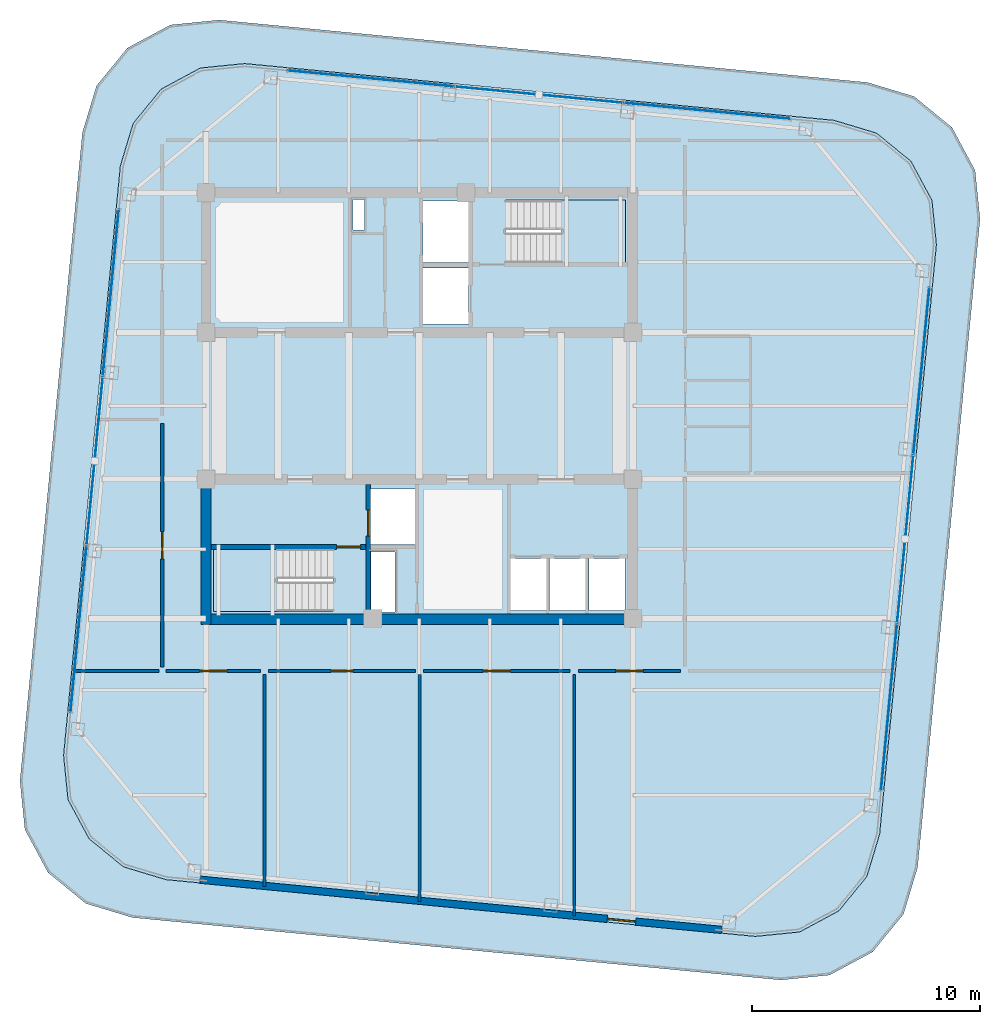
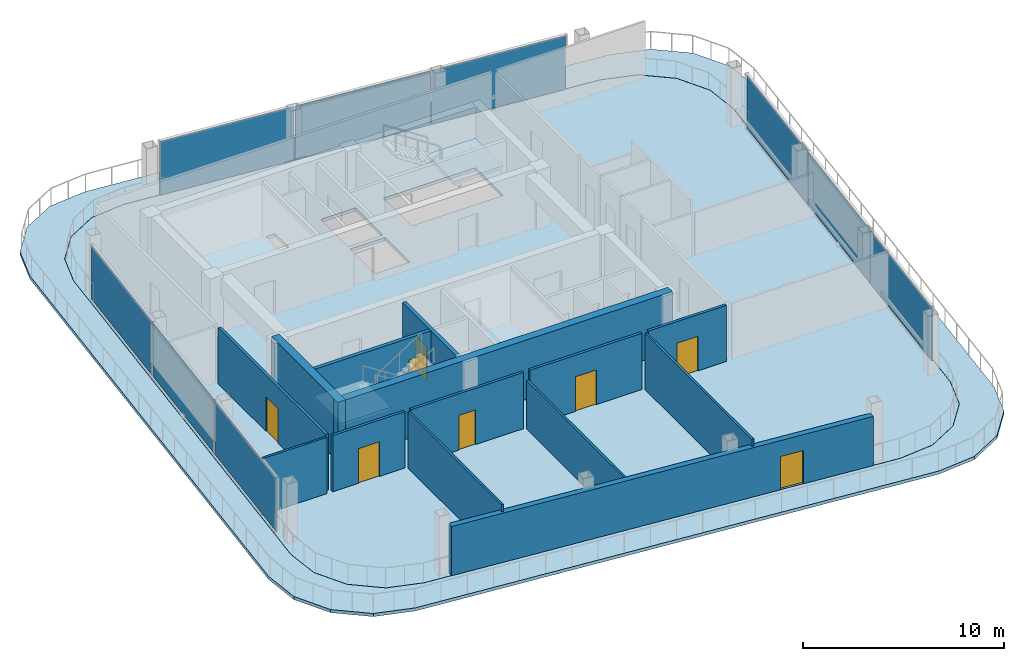
# One storey, part 16 of 23: 14 walls, 9 plates, 8 doors, 4 slabs, 8 openings, 5 elements without a shape of their own.
"""IFC4 building model written with IfcOpenShell, lengths in metres."""

from ifc_helpers import new_model, si_unit, direction, frame, frame_2d, origin, origin_2d, place, context, subcontext, project, spatial, polyline, rectangle, outline, extrude, material, layer, layer_set, type_object, element, fill, aggregate, save


model = new_model("IFC4")

# Units and contexts
model_context = context("Model", 3, precision=1e-05, world=origin(), true_north=direction((0.0, 1.0)))
body_context = subcontext(model_context, "Body", "Model", "MODEL_VIEW")
ifc_project = project(units=[si_unit("LENGTHUNIT", "METRE"), si_unit("AREAUNIT", "SQUARE_METRE"), si_unit("VOLUMEUNIT", "CUBIC_METRE"), si_unit("PLANEANGLEUNIT", "RADIAN"), si_unit("MASSUNIT", "GRAM", prefix="KILO")], contexts=[model_context])

# Site, building, storey
site_placement = place(None, origin())
site = spatial("IfcSite", under=ifc_project, at=site_placement, CompositionType="ELEMENT")
building_placement = place(site_placement, origin())
building = spatial("IfcBuilding", under=site, at=building_placement, Name="Qhalaya Broadcast Tower", CompositionType="ELEMENT")
storey_placement = place(building_placement, frame((0.0, 0.0, 276.949951171875)))
storey = spatial("IfcBuildingStorey", under=building, at=storey_placement, Name="L82", CompositionType="ELEMENT", Elevation=276.949951171875)

# Slab
ifc_material_1 = material(Name="Concrete C40/50", Category="concrete")
ifc_layer_1 = layer(ifc_material_1, 0.25, Name="Concrete C40/50")
ifc_layer_set_1 = layer_set([ifc_layer_1], Name="Concrete C40/50")
slab_type_1 = type_object("IfcSlabType", Name="Planted Sky-Garden & Sky-Pool External Terrace Slab 250", PredefinedType="FLOOR", material=ifc_layer_set_1)
slab_1_placement = place(storey_placement, frame((0.0, 0.0, -0.18994140625)))
element("IfcSlab", 1, at=slab_1_placement, inside=storey, type_object=slab_type_1, Name="L82 Planted Parapet Garden Terrace 1", PredefinedType="FLOOR", context=body_context, shape_type="SweptSolid", body=[
    extrude(outline(polyline([(15.87646484375, -24.619384765625), (18.01171875, -24.404296875), (19.902099609375, -23.388671875), (21.259765625, -21.726806640625), (21.87841796875, -19.671875), (24.619384765625, 8.79638671875), (24.404296875, 10.931640625), (23.388671875, 12.822021484375), (21.726806640625, 14.1796875), (19.671875, 14.79833984375), (-8.79638671875, 17.539306640625), (-10.931640625, 17.324462890625), (-12.822021484375, 16.30859375), (-14.1796875, 14.64697265625), (-14.79833984375, 12.591796875), (-17.539306640625, -15.87646484375), (-17.324462890625, -18.01171875), (-16.30859375, -19.902099609375), (-14.64697265625, -21.259765625), (-12.591796875, -21.87841796875), (15.87646484375, -24.619384765625)]), holes=[polyline([(14.75439453125, -22.70703125), (-11.125732421875, -20.215087890625), (-11.126220703125, -20.215087890625), (-11.126708984375, -20.21484375), (-12.99462890625, -19.652587890625), (-12.9951171875, -19.652587890625), (-12.995361328125, -19.65234375), (-12.99560546875, -19.652099609375), (-12.99609375, -19.652099609375), (-14.5068359375, -18.41748046875), (-14.507080078125, -18.417236328125), (-14.50732421875, -18.4169921875), (-14.507568359375, -18.416748046875), (-14.5078125, -18.41650390625), (-15.43115234375, -16.697998046875), (-15.431396484375, -16.697509765625), (-15.431396484375, -16.697265625), (-15.431640625, -16.69677734375), (-15.431640625, -16.6962890625), (-15.627197265625, -14.75537109375), (-15.627197265625, -14.7548828125), (-15.627197265625, -14.75439453125), (-13.135009765625, 11.125732421875), (-13.135009765625, 11.126220703125), (-13.135009765625, 11.126708984375), (-12.57275390625, 12.99462890625), (-12.572509765625, 12.9951171875), (-12.572509765625, 12.995361328125), (-12.572265625, 12.99560546875), (-12.572021484375, 12.99609375), (-11.337646484375, 14.5068359375), (-11.33740234375, 14.507080078125), (-11.3369140625, 14.50732421875), (-11.336669921875, 14.507568359375), (-11.33642578125, 14.5078125), (-9.617919921875, 15.43115234375), (-9.617431640625, 15.431396484375), (-9.6171875, 15.431396484375), (-9.61669921875, 15.431640625), (-9.616455078125, 15.431640625), (-7.67529296875, 15.627197265625), (-7.6748046875, 15.627197265625), (-7.674560546875, 15.627197265625), (18.205810546875, 13.135009765625), (18.206298828125, 13.135009765625), (18.20654296875, 13.135009765625), (20.07470703125, 12.57275390625), (20.074951171875, 12.572509765625), (20.075439453125, 12.572509765625), (20.07568359375, 12.572265625), (20.075927734375, 12.572021484375), (21.5869140625, 11.337646484375), (21.587158203125, 11.33740234375), (21.58740234375, 11.3369140625), (21.587646484375, 11.336669921875), (21.587890625, 11.33642578125), (22.51123046875, 9.617919921875), (22.511474609375, 9.617431640625), (22.511474609375, 9.6171875), (22.51171875, 9.61669921875), (22.51171875, 9.616455078125), (22.70703125, 7.67529296875), (22.70703125, 7.6748046875), (22.70703125, 7.674560546875), (20.215087890625, -18.205810546875), (20.215087890625, -18.206298828125), (20.21484375, -18.20654296875), (19.652587890625, -20.07470703125), (19.652587890625, -20.074951171875), (19.65234375, -20.075439453125), (19.652099609375, -20.07568359375), (19.652099609375, -20.075927734375), (18.41748046875, -21.5869140625), (18.417236328125, -21.587158203125), (18.4169921875, -21.58740234375), (18.416748046875, -21.587646484375), (18.41650390625, -21.587890625), (16.697998046875, -22.51123046875), (16.697509765625, -22.511474609375), (16.697265625, -22.511474609375), (16.69677734375, -22.51171875), (16.6962890625, -22.51171875), (14.75537109375, -22.70703125), (14.7548828125, -22.70703125), (14.75439453125, -22.70703125)])]), origin(), (0.0, 0.0, 1.0), 0.18994140625),
])

# Curtain wall, plates
ifc_material_2 = material(Name="Solar-Control Low-E Triple Glazing", Category="glass")
ifc_layer_2 = layer(ifc_material_2, 0.219970703125, Name="Solar-Control Low-E Triple Glazing")
ifc_layer_set_2 = layer_set([ifc_layer_2], Name="Solar-Control Low-E Triple Glazing")
curtain_wall_type = type_object("IfcCurtainWallType", Name="Crown Garden & Observation Windscreen Curtain Wall CW-06", PredefinedType="NOTDEFINED", material=ifc_layer_set_2)
curtain_wall_1_placement = place(storey_placement, origin())
curtain_wall_1 = element("IfcCurtainWall", 2, at=curtain_wall_1_placement, inside=storey, type_object=curtain_wall_type, Name="L82 Unitised Curtain Wall L82-CW-E", PredefinedType="NOTDEFINED")
ifc_layer_3 = layer(ifc_material_2, 0.030029296875, Name="Solar-Control Low-E Triple Glazing")
ifc_layer_set_3 = layer_set([ifc_layer_3], Name="Solar-Control Low-E Triple Glazing")
plate_type = type_object("IfcPlateType", Name="Solar-Control Curtain Glazing Panel GLP-06", PredefinedType="CURTAIN_PANEL", material=ifc_layer_set_3)
plate_1_placement = place(storey_placement, frame((20.626953125, -12.63427734375, 0.0751953125), z_axis=(0.0, 0.0, 1.0), x_axis=(0.095847667974, 0.995396013928, 0.0)))
plate_1 = element("IfcPlate", 3, at=plate_1_placement, type_object=plate_type, Name="CW-06 panel 1.1", PredefinedType="CURTAIN_PANEL", context=body_context, shape_type="SweptSolid", body=[
    extrude(rectangle(XDim=7.32080078125, YDim=0.030029296875, at=origin_2d()), origin(), (0.0, 0.0, 1.0), 3.260009765625),
])
plate_2_placement = place(storey_placement, frame((21.337646484375, -5.253662109375, 0.0751953125), z_axis=(0.0, 0.0, 1.0), x_axis=(0.095847667974, 0.995396013928, 0.0)))
plate_2 = element("IfcPlate", 4, at=plate_2_placement, type_object=plate_type, Name="CW-06 panel 2.1", PredefinedType="CURTAIN_PANEL", context=body_context, shape_type="SweptSolid", body=[
    extrude(rectangle(XDim=7.3583984375, YDim=0.030029296875, at=origin_2d()), origin(), (0.0, 0.0, 1.0), 3.260009765625),
])
plate_3_placement = place(storey_placement, frame((22.04833984375, 2.126708984375, 0.0751953125), z_axis=(0.0, 0.0, 1.0), x_axis=(0.095847667974, 0.995396013928, 0.0)))
plate_3 = element("IfcPlate", 5, at=plate_3_placement, type_object=plate_type, Name="CW-06 panel 3.1", PredefinedType="CURTAIN_PANEL", context=body_context, shape_type="SweptSolid", body=[
    extrude(rectangle(XDim=7.32080078125, YDim=0.030029296875, at=origin_2d()), origin(), (0.0, 0.0, 1.0), 3.260009765625),
])
aggregate(curtain_wall_1, [plate_1, plate_2, plate_3])

curtain_wall_2_placement = place(storey_placement, origin())
curtain_wall_2 = element("IfcCurtainWall", 6, at=curtain_wall_2_placement, inside=storey, type_object=curtain_wall_type, Name="L82 Unitised Curtain Wall L82-CW-N", PredefinedType="NOTDEFINED")
plate_4_placement = place(storey_placement, frame((12.63427734375, 13.547119140625, 0.0751953125), z_axis=(0.0, 0.0, 1.0), x_axis=(-0.995396013928, 0.095847667974, 0.0)))
plate_4 = element("IfcPlate", 7, at=plate_4_placement, type_object=plate_type, Name="CW-06 panel 1.1", PredefinedType="CURTAIN_PANEL", context=body_context, shape_type="SweptSolid", body=[
    extrude(rectangle(XDim=7.32080078125, YDim=0.030029296875, at=origin_2d()), origin(), (0.0, 0.0, 1.0), 3.260009765625),
])
plate_5_placement = place(storey_placement, frame((5.253662109375, 14.2578125, 0.0751953125), z_axis=(0.0, 0.0, 1.0), x_axis=(-0.995396013928, 0.095847667974, 0.0)))
plate_5 = element("IfcPlate", 8, at=plate_5_placement, type_object=plate_type, Name="CW-06 panel 2.1", PredefinedType="CURTAIN_PANEL", context=body_context, shape_type="SweptSolid", body=[
    extrude(rectangle(XDim=7.3583984375, YDim=0.030029296875, at=origin_2d()), origin(), (0.0, 0.0, 1.0), 3.260009765625),
])
plate_6_placement = place(storey_placement, frame((-2.126708984375, 14.96826171875, 0.0751953125), z_axis=(0.0, 0.0, 1.0), x_axis=(-0.995396013928, 0.095847667974, 0.0)))
plate_6 = element("IfcPlate", 9, at=plate_6_placement, type_object=plate_type, Name="CW-06 panel 3.1", PredefinedType="CURTAIN_PANEL", context=body_context, shape_type="SweptSolid", body=[
    extrude(rectangle(XDim=7.32080078125, YDim=0.030029296875, at=origin_2d()), origin(), (0.0, 0.0, 1.0), 3.260009765625),
])
aggregate(curtain_wall_2, [plate_4, plate_5, plate_6])

curtain_wall_3_placement = place(storey_placement, origin())
curtain_wall_3 = element("IfcCurtainWall", 10, at=curtain_wall_3_placement, inside=storey, type_object=curtain_wall_type, Name="L82 Unitised Curtain Wall L82-CW-W", PredefinedType="NOTDEFINED")
plate_7_placement = place(storey_placement, frame((-13.547119140625, 5.55419921875, 0.0751953125), z_axis=(0.0, 0.0, 1.0), x_axis=(-0.095847667974, -0.995396013928, 0.0)))
plate_7 = element("IfcPlate", 11, at=plate_7_placement, type_object=plate_type, Name="CW-06 panel 1.1", PredefinedType="CURTAIN_PANEL", context=body_context, shape_type="SweptSolid", body=[
    extrude(rectangle(XDim=7.32080078125, YDim=0.030029296875, at=origin_2d()), origin(), (0.0, 0.0, 1.0), 3.260009765625),
])
plate_8_placement = place(storey_placement, frame((-14.2578125, -1.826171875, 0.0751953125), z_axis=(0.0, 0.0, 1.0), x_axis=(-0.095847667974, -0.995396013928, 0.0)))
plate_8 = element("IfcPlate", 12, at=plate_8_placement, type_object=plate_type, Name="CW-06 panel 2.1", PredefinedType="CURTAIN_PANEL", context=body_context, shape_type="SweptSolid", body=[
    extrude(rectangle(XDim=7.3583984375, YDim=0.030029296875, at=origin_2d()), origin(), (0.0, 0.0, 1.0), 3.260009765625),
])
plate_9_placement = place(storey_placement, frame((-14.96826171875, -9.206787109375, 0.0751953125), z_axis=(0.0, 0.0, 1.0), x_axis=(-0.095847667974, -0.995396013928, 0.0)))
plate_9 = element("IfcPlate", 13, at=plate_9_placement, type_object=plate_type, Name="CW-06 panel 3.1", PredefinedType="CURTAIN_PANEL", context=body_context, shape_type="SweptSolid", body=[
    extrude(rectangle(XDim=7.32080078125, YDim=0.030029296875, at=origin_2d()), origin(), (0.0, 0.0, 1.0), 3.260009765625),
])
aggregate(curtain_wall_3, [plate_7, plate_8, plate_9])

# Stair, slab
stair_type = type_object("IfcStairType", Name="Protected Dogleg Core Stair 3600", PredefinedType="TWO_STRAIGHT_RUN_STAIR", material=ifc_material_1)
stair_1_placement = place(storey_placement, origin())
stair_1 = element("IfcStair", 14, at=stair_1_placement, inside=storey, type_object=stair_type, Name="L82 North Core Exit Stair ST-1", PredefinedType="TWO_STRAIGHT_RUN_STAIR")
ifc_layer_4 = layer(ifc_material_1, 0.199951171875, Name="Concrete C40/50")
ifc_layer_set_4 = layer_set([ifc_layer_4], Name="Concrete C40/50")
slab_type_2 = type_object("IfcSlabType", Name="Stair & Ramp Half-Landing Slab 200", PredefinedType="LANDING", material=ifc_layer_set_4)
slab_2_placement = place(storey_placement, frame((0.0, 0.0, 1.60009765625)))
slab_2 = element("IfcSlab", 15, at=slab_2_placement, type_object=slab_type_2, Name="ST-1 landing 1", PredefinedType="LANDING", context=body_context, shape_type="SweptSolid", body=[
    extrude(outline(polyline([(6.235107421875, 6.8798828125), (9.050048828125, 6.8798828125), (9.050048828125, 9.639892578125), (6.235107421875, 9.639892578125), (6.235107421875, 6.8798828125)])), origin(), (0.0, 0.0, 1.0), 0.199951171875),
])
aggregate(stair_1, [slab_2])

stair_2_placement = place(storey_placement, origin())
stair_2 = element("IfcStair", 16, at=stair_2_placement, inside=storey, type_object=stair_type, Name="L82 South Core Exit Stair ST-2", PredefinedType="TWO_STRAIGHT_RUN_STAIR")
slab_3_placement = place(storey_placement, frame((0.0, 0.0, 1.60009765625)))
slab_3 = element("IfcSlab", 17, at=slab_3_placement, type_object=slab_type_2, Name="ST-2 landing 1", PredefinedType="LANDING", context=body_context, shape_type="SweptSolid", body=[
    extrude(outline(polyline([(-6.235107421875, -5.679931640625), (-9.050048828125, -5.679931640625), (-9.050048828125, -8.43994140625), (-6.235107421875, -8.43994140625), (-6.235107421875, -5.679931640625)])), origin(), (0.0, 0.0, 1.0), 0.199951171875),
])
aggregate(stair_2, [slab_3])

# Slab
ifc_layer_5 = layer(ifc_material_1, 0.18994140625, Name="Concrete C40/50")
ifc_layer_set_5 = layer_set([ifc_layer_5], Name="Concrete C40/50")
slab_type_3 = type_object("IfcSlabType", Name="Upper Tower Composite Floor Slab 190", PredefinedType="FLOOR", material=ifc_layer_set_5)
slab_4_placement = place(storey_placement, frame((0.0, 0.0, -0.18994140625)))
element("IfcSlab", 18, at=slab_4_placement, inside=storey, type_object=slab_type_3, Name="L82 Main Structural Floor Slab", PredefinedType="FLOOR", context=body_context, shape_type="SweptSolid", body=[
    extrude(outline(polyline([(14.7548828125, -22.703125), (16.696044921875, -22.5078125), (18.41455078125, -21.584228515625), (19.64892578125, -20.073486328125), (20.211181640625, -18.205322265625), (22.703125, 7.6748046875), (22.5078125, 9.615966796875), (21.584228515625, 11.33447265625), (20.073486328125, 12.56884765625), (18.205322265625, 13.131103515625), (-7.6748046875, 15.623046875), (-9.615966796875, 15.427734375), (-11.33447265625, 14.50439453125), (-12.56884765625, 12.993408203125), (-13.131103515625, 11.12548828125), (-15.623046875, -14.7548828125), (-15.427734375, -16.696044921875), (-14.50439453125, -18.41455078125), (-12.993408203125, -19.64892578125), (-11.12548828125, -20.211181640625), (14.7548828125, -22.703125)]), holes=[polyline([(3.784912109375, 9.639892578125), (9.050048828125, 9.639892578125), (9.050048828125, 6.8798828125), (3.784912109375, 6.8798828125), (3.784912109375, 9.639892578125)]), polyline([(-3.784912109375, -8.43994140625), (-9.050048828125, -8.43994140625), (-9.050048828125, -5.679931640625), (-3.784912109375, -5.679931640625), (-3.784912109375, -8.43994140625)]), polyline([(0.14990234375, 6.64990234375), (2.14990234375, 6.64990234375), (2.14990234375, 4.199951171875), (0.14990234375, 4.199951171875), (0.14990234375, 6.64990234375)]), polyline([(0.14990234375, 9.60009765625), (2.14990234375, 9.60009765625), (2.14990234375, 6.89990234375), (0.14990234375, 6.89990234375), (0.14990234375, 9.60009765625)]), polyline([(-2.14990234375, -3.050048828125), (-0.14990234375, -3.050048828125), (-0.14990234375, -5.5), (-2.14990234375, -5.5), (-2.14990234375, -3.050048828125)]), polyline([(4.0, -6.10009765625), (5.60009765625, -6.10009765625), (5.60009765625, -8.39990234375), (4.0, -8.39990234375), (4.0, -6.10009765625)]), polyline([(5.719970703125, -6.10009765625), (7.320068359375, -6.10009765625), (7.320068359375, -8.39990234375), (5.719970703125, -8.39990234375), (5.719970703125, -6.10009765625)]), polyline([(7.43994140625, -6.10009765625), (9.0400390625, -6.10009765625), (9.0400390625, -8.39990234375), (7.43994140625, -8.39990234375), (7.43994140625, -6.10009765625)]), polyline([(-2.919921875, 9.659912109375), (-2.419921875, 9.659912109375), (-2.419921875, 8.320068359375), (-2.919921875, 8.320068359375), (-2.919921875, 9.659912109375)]), polyline([(-2.1201171875, -5.820068359375), (-1.080078125, -5.820068359375), (-1.080078125, -8.4599609375), (-2.1201171875, -8.4599609375), (-2.1201171875, -5.820068359375)])]), origin(), (0.0, 0.0, 1.0), 0.18994140625),
])

# Wall, opening, door
ifc_material_3 = material(Name="Gypsum Acoustic Partition")
ifc_layer_6 = layer(ifc_material_3, 0.14990234375, Name="Gypsum Acoustic Partition")
ifc_layer_set_6 = layer_set([ifc_layer_6], Name="Gypsum Acoustic Partition")
wall_type_1 = type_object("IfcWallType", Name="Corridor & Tenancy Acoustic Partition 150", PredefinedType="PARTITIONING", material=ifc_layer_set_6)
wall_1_placement = place(storey_placement, frame((-11.1201171875, -11.050048828125, 0.0), z_axis=(0.0, 0.0, 1.0), x_axis=(1.0, 0.0, 0.0)))
wall_1 = element("IfcWall", 19, at=wall_1_placement, inside=storey, type_object=wall_type_1, Name="L82 Partition Wall W-COR-02", PredefinedType="PARTITIONING", context=body_context, shape_type="SweptSolid", body=[
    extrude(rectangle(XDim=4.14013671875, YDim=0.14990234375, at=frame_2d((2.070068359375, 0.0))), origin(), (0.0, 0.0, 1.0), 3.41015625),
])
opening_1_placement = place(wall_1_placement, frame((1.469970703125, 0.0, 0.0)))
opening_1 = element("IfcOpeningElement", 20, at=opening_1_placement, cuts=wall_1, Name="Opening D11", PredefinedType="OPENING", context=body_context, shape_type="SweptSolid", body=[
    extrude(rectangle(XDim=1.199951171875, YDim=2.10009765625, at=frame_2d((0.60009765625, 1.050048828125))), frame((0.0, 0.0869140625, 0.0), z_axis=(0.0, -1.0, 0.0), x_axis=(1.0, 0.0, 0.0)), (0.0, 0.0, 1.0), 0.173828125),
])
ifc_material_4 = material(Name="Anodised Aluminium Glazed Door", Category="aluminium")
door_type_1 = type_object("IfcDoorType", Name="Conference, Boardroom & Studio Control Door D11", OperationType="NOTDEFINED", PredefinedType="DOOR", material=ifc_material_4)
door_1_placement = place(opening_1_placement, origin())
door_1 = element("IfcDoor", 21, at=door_1_placement, inside=storey, type_object=door_type_1, Name="L82 Door D-RM02", OperationType="SINGLE_SWING_LEFT", OverallHeight=2.10009765625, OverallWidth=1.199951171875, PredefinedType="DOOR", context=body_context, shape_type="SweptSolid", body=[
    extrude(rectangle(XDim=1.199951171875, YDim=2.10009765625, at=frame_2d((0.60009765625, 1.050048828125))), frame((0.0, 0.02490234375, 0.0), z_axis=(0.0, -1.0, 0.0), x_axis=(1.0, 0.0, 0.0)), (0.0, 0.0, 1.0), 0.050048828125),
])
fill(opening_1, door_1)

wall_2_placement = place(storey_placement, frame((-6.6201171875, -11.050048828125, 0.0), z_axis=(0.0, 0.0, 1.0), x_axis=(1.0, 0.0, 0.0)))
wall_2 = element("IfcWall", 22, at=wall_2_placement, inside=storey, type_object=wall_type_1, Name="L82 Partition Wall W-COR-03", PredefinedType="PARTITIONING", context=body_context, shape_type="SweptSolid", body=[
    extrude(rectangle(XDim=6.440185546875, YDim=0.14990234375, at=frame_2d((3.22021484375, 0.0))), origin(), (0.0, 0.0, 1.0), 3.41015625),
])
opening_2_placement = place(wall_2_placement, frame((2.7451171875, 0.0, 0.0)))
opening_2 = element("IfcOpeningElement", 23, at=opening_2_placement, cuts=wall_2, Name="Opening D10", PredefinedType="OPENING", context=body_context, shape_type="SweptSolid", body=[
    extrude(rectangle(XDim=0.949951171875, YDim=2.10009765625, at=frame_2d((0.47509765625, 1.050048828125))), frame((0.0, 0.0869140625, 0.0), z_axis=(0.0, -1.0, 0.0), x_axis=(1.0, 0.0, 0.0)), (0.0, 0.0, 1.0), 0.173828125),
])
ifc_material_5 = material(Name="Timber Veneer Acoustic Door", Category="wood")
door_type_2 = type_object("IfcDoorType", Name="Cellular Office & Edit Booth Door D10", OperationType="NOTDEFINED", PredefinedType="DOOR", material=ifc_material_5)
door_2_placement = place(opening_2_placement, origin())
door_2 = element("IfcDoor", 24, at=door_2_placement, inside=storey, type_object=door_type_2, Name="L82 Door D-RM03", OperationType="SINGLE_SWING_RIGHT", OverallHeight=2.10009765625, OverallWidth=0.949951171875, PredefinedType="DOOR", context=body_context, shape_type="SweptSolid", body=[
    extrude(rectangle(XDim=0.949951171875, YDim=2.10009765625, at=frame_2d((0.47509765625, 1.050048828125))), frame((0.0, 0.02490234375, 0.0), z_axis=(0.0, -1.0, 0.0), x_axis=(1.0, 0.0, 0.0)), (0.0, 0.0, 1.0), 0.050048828125),
])
fill(opening_2, door_2)

wall_3_placement = place(storey_placement, frame((0.179931640625, -11.050048828125, 0.0), z_axis=(0.0, 0.0, 1.0), x_axis=(1.0, 0.0, 0.0)))
wall_3 = element("IfcWall", 25, at=wall_3_placement, inside=storey, type_object=wall_type_1, Name="L82 Partition Wall W-COR-04", PredefinedType="PARTITIONING", context=body_context, shape_type="SweptSolid", body=[
    extrude(rectangle(XDim=6.440185546875, YDim=0.14990234375, at=frame_2d((3.22021484375, 0.0))), origin(), (0.0, 0.0, 1.0), 3.41015625),
])
opening_3_placement = place(wall_3_placement, frame((2.6201171875, 0.0, 0.0)))
opening_3 = element("IfcOpeningElement", 26, at=opening_3_placement, cuts=wall_3, Name="Opening D11", PredefinedType="OPENING", context=body_context, shape_type="SweptSolid", body=[
    extrude(rectangle(XDim=1.199951171875, YDim=2.10009765625, at=frame_2d((0.60009765625, 1.050048828125))), frame((0.0, 0.0869140625, 0.0), z_axis=(0.0, -1.0, 0.0), x_axis=(1.0, 0.0, 0.0)), (0.0, 0.0, 1.0), 0.173828125),
])
door_3_placement = place(opening_3_placement, origin())
door_3 = element("IfcDoor", 27, at=door_3_placement, inside=storey, type_object=door_type_1, Name="L82 Door D-RM04", OperationType="SINGLE_SWING_LEFT", OverallHeight=2.10009765625, OverallWidth=1.199951171875, PredefinedType="DOOR", context=body_context, shape_type="SweptSolid", body=[
    extrude(rectangle(XDim=1.199951171875, YDim=2.10009765625, at=frame_2d((0.60009765625, 1.050048828125))), frame((0.0, 0.02490234375, 0.0), z_axis=(0.0, -1.0, 0.0), x_axis=(1.0, 0.0, 0.0)), (0.0, 0.0, 1.0), 0.050048828125),
])
fill(opening_3, door_3)

wall_4_placement = place(storey_placement, frame((6.97998046875, -11.050048828125, 0.0), z_axis=(0.0, 0.0, 1.0), x_axis=(1.0, 0.0, 0.0)))
wall_4 = element("IfcWall", 28, at=wall_4_placement, inside=storey, type_object=wall_type_1, Name="L82 Partition Wall W-COR-05", PredefinedType="PARTITIONING", context=body_context, shape_type="SweptSolid", body=[
    extrude(rectangle(XDim=4.489990234375, YDim=0.14990234375, at=frame_2d((2.2451171875, 0.0))), origin(), (0.0, 0.0, 1.0), 3.41015625),
])
opening_4_placement = place(wall_4_placement, frame((1.64501953125, 0.0, 0.0)))
opening_4 = element("IfcOpeningElement", 29, at=opening_4_placement, cuts=wall_4, Name="Opening D11", PredefinedType="OPENING", context=body_context, shape_type="SweptSolid", body=[
    extrude(rectangle(XDim=1.199951171875, YDim=2.10009765625, at=frame_2d((0.60009765625, 1.050048828125))), frame((0.0, 0.0869140625, 0.0), z_axis=(0.0, -1.0, 0.0), x_axis=(1.0, 0.0, 0.0)), (0.0, 0.0, 1.0), 0.173828125),
])
door_4_placement = place(opening_4_placement, origin())
door_4 = element("IfcDoor", 30, at=door_4_placement, inside=storey, type_object=door_type_1, Name="L82 Door D-RM05", OperationType="SINGLE_SWING_RIGHT", OverallHeight=2.10009765625, OverallWidth=1.199951171875, PredefinedType="DOOR", context=body_context, shape_type="SweptSolid", body=[
    extrude(rectangle(XDim=1.199951171875, YDim=2.10009765625, at=frame_2d((0.60009765625, 1.050048828125))), frame((0.0, 0.02490234375, 0.0), z_axis=(0.0, -1.0, 0.0), x_axis=(1.0, 0.0, 0.0)), (0.0, 0.0, 1.0), 0.050048828125),
])
fill(opening_4, door_4)

wall_5_placement = place(storey_placement, frame((-11.300048828125, -10.8701171875, 0.0), z_axis=(0.0, 0.0, 1.0), x_axis=(0.0, 1.0, 0.0)))
wall_5 = element("IfcWall", 31, at=wall_5_placement, inside=storey, type_object=wall_type_1, Name="L82 Partition Wall W-COR-06", PredefinedType="PARTITIONING", context=body_context, shape_type="SweptSolid", body=[
    extrude(rectangle(XDim=10.690185546875, YDim=0.14990234375, at=frame_2d((5.34521484375, 0.0))), origin(), (0.0, 0.0, 1.0), 3.41015625),
])
opening_5_placement = place(wall_5_placement, frame((4.7451171875, 0.0, 0.0)))
opening_5 = element("IfcOpeningElement", 32, at=opening_5_placement, cuts=wall_5, Name="Opening D11", PredefinedType="OPENING", context=body_context, shape_type="SweptSolid", body=[
    extrude(rectangle(XDim=1.199951171875, YDim=2.10009765625, at=frame_2d((0.60009765625, 1.050048828125))), frame((0.0, 0.0869140625, 0.0), z_axis=(0.0, -1.0, 0.0), x_axis=(1.0, 0.0, 0.0)), (0.0, 0.0, 1.0), 0.173828125),
])
door_5_placement = place(opening_5_placement, origin())
door_5 = element("IfcDoor", 33, at=door_5_placement, inside=storey, type_object=door_type_1, Name="L82 Door D-RM06", OperationType="SINGLE_SWING_LEFT", OverallHeight=2.10009765625, OverallWidth=1.199951171875, PredefinedType="DOOR", context=body_context, shape_type="SweptSolid", body=[
    extrude(rectangle(XDim=1.199951171875, YDim=2.10009765625, at=frame_2d((0.60009765625, 1.050048828125))), frame((0.0, 0.02490234375, 0.0), z_axis=(0.0, -1.0, 0.0), x_axis=(1.0, 0.0, 0.0)), (0.0, 0.0, 1.0), 0.050048828125),
])
fill(opening_5, door_5)

ifc_material_6 = material(Name="Concrete C50/60", Category="concrete")
ifc_layer_7 = layer(ifc_material_6, 0.199951171875, Name="Concrete C50/60")
ifc_layer_set_7 = layer_set([ifc_layer_7], Name="Concrete C50/60")
wall_type_2 = type_object("IfcWallType", Name="Load-Bearing Stair Shaft Wall 200", PredefinedType="SHEAR", material=ifc_layer_set_7)
wall_6_placement = place(storey_placement, frame((-9.1298828125, -5.60498046875, 0.0), z_axis=(0.0, 0.0, 1.0), x_axis=(1.0, 0.0, 0.0)))
wall_6 = element("IfcWall", 34, at=wall_6_placement, inside=storey, type_object=wall_type_2, Name="L82 Stair Core Shear Wall SCW-ST2", PredefinedType="SHEAR", context=body_context, shape_type="SweptSolid", body=[
    extrude(rectangle(XDim=6.769775390625, YDim=0.199951171875, at=frame_2d((3.384765625, 0.0))), origin(), (0.0, 0.0, 1.0), 3.41015625),
])
opening_6_placement = place(wall_6_placement, frame((5.5, 0.0, 0.0)))
opening_6 = element("IfcOpeningElement", 35, at=opening_6_placement, cuts=wall_6, Name="Opening D03", PredefinedType="OPENING", context=body_context, shape_type="SweptSolid", body=[
    extrude(rectangle(XDim=1.050048828125, YDim=2.080078125, at=frame_2d((0.52490234375, 1.0400390625))), frame((0.0, 0.112060546875, 0.0), z_axis=(0.0, -1.0, 0.0), x_axis=(1.0, 0.0, 0.0)), (0.0, 0.0, 1.0), 0.223876953125),
])
ifc_material_7 = material(Name="Fire-Rated Steel Door", Category="steel")
door_type_3 = type_object("IfcDoorType", Name="Core Stair Protected Fire Door D03", OperationType="NOTDEFINED", PredefinedType="DOOR", material=ifc_material_7)
door_6_placement = place(opening_6_placement, origin())
door_6 = element("IfcDoor", 36, at=door_6_placement, inside=storey, type_object=door_type_3, Name="L82 Door D-SST2", OperationType="SINGLE_SWING_RIGHT", OverallHeight=2.080078125, OverallWidth=1.050048828125, PredefinedType="DOOR", context=body_context, shape_type="SweptSolid", body=[
    extrude(rectangle(XDim=1.050048828125, YDim=2.080078125, at=frame_2d((0.52490234375, 1.0400390625))), frame((0.0, 0.02490234375, 0.0), z_axis=(0.0, -1.0, 0.0), x_axis=(1.0, 0.0, 0.0)), (0.0, 0.0, 1.0), 0.050048828125),
])
fill(opening_6, door_6)

wall_7_placement = place(storey_placement, frame((-2.25, -8.530029296875, 0.0), z_axis=(0.0, 0.0, 1.0), x_axis=(0.0, 1.0, 0.0)))
wall_7 = element("IfcWall", 37, at=wall_7_placement, inside=storey, type_object=wall_type_2, Name="L82 Stair Core Shear Wall SCW-FF", PredefinedType="SHEAR", context=body_context, shape_type="SweptSolid", body=[
    extrude(rectangle(XDim=5.659912109375, YDim=0.199951171875, at=frame_2d((2.830078125, 0.0))), origin(), (0.0, 0.0, 1.0), 3.41015625),
])
opening_7_placement = place(wall_7_placement, frame((3.39990234375, 0.0, 0.0)))
opening_7 = element("IfcOpeningElement", 38, at=opening_7_placement, cuts=wall_7, Name="Opening LD2", PredefinedType="OPENING", context=body_context, shape_type="SweptSolid", body=[
    extrude(rectangle(XDim=1.14990234375, YDim=2.080078125, at=frame_2d((0.574951171875, 1.0400390625))), frame((0.0, 0.112060546875, 0.0), z_axis=(0.0, -1.0, 0.0), x_axis=(1.0, 0.0, 0.0)), (0.0, 0.0, 1.0), 0.223876953125),
])
ifc_material_8 = material(Name="Brushed Stainless Steel Lift Door", Category="steel")
door_type_4 = type_object("IfcDoorType", Name="Firefighting Lift Sliding Landing Door LD2", OperationType="DOUBLE_DOOR_SLIDING", PredefinedType="DOOR", material=ifc_material_8)
door_7_placement = place(opening_7_placement, origin())
door_7 = element("IfcDoor", 39, at=door_7_placement, inside=storey, type_object=door_type_4, Name="L82 Door LD-FF2", OperationType="DOUBLE_DOOR_SLIDING", OverallHeight=2.080078125, OverallWidth=1.14990234375, PredefinedType="DOOR", context=body_context, shape_type="SweptSolid", body=[
    extrude(rectangle(XDim=1.14990234375, YDim=2.080078125, at=frame_2d((0.574951171875, 1.0400390625))), frame((0.0, 0.02490234375, 0.0), z_axis=(0.0, -1.0, 0.0), x_axis=(1.0, 0.0, 0.0)), (0.0, 0.0, 1.0), 0.050048828125),
])
fill(opening_7, door_7)

# Walls
ifc_layer_8 = layer(ifc_material_3, 0.1201171875, Name="Gypsum Acoustic Partition")
ifc_layer_set_8 = layer_set([ifc_layer_8], Name="Gypsum Acoustic Partition")
wall_type_3 = type_object("IfcWallType", Name="Office, Booth & Sanitary Partition 120", PredefinedType="PARTITIONING", material=ifc_layer_set_8)
wall_8_placement = place(storey_placement, frame((-15.145751953125, -11.050048828125, 0.0), z_axis=(0.0, 0.0, 1.0), x_axis=(1.0, 0.0, 0.0)))
element("IfcWall", 40, at=wall_8_placement, inside=storey, type_object=wall_type_3, Name="L82 Partition Wall W-BNDW2", PredefinedType="PARTITIONING", context=body_context, shape_type="SweptSolid", body=[
    extrude(rectangle(XDim=3.705810546875, YDim=0.1201171875, at=frame_2d((1.85302734375, 0.0))), origin(), (0.0, 0.0, 1.0), 3.41015625),
])
wall_9_placement = place(storey_placement, frame((-6.800048828125, -20.507080078125, 0.0), z_axis=(0.0, 0.0, 1.0), x_axis=(0.0, 1.0, 0.0)))
element("IfcWall", 41, at=wall_9_placement, inside=storey, type_object=wall_type_3, Name="L82 Partition Wall W-DIVS1", PredefinedType="PARTITIONING", context=body_context, shape_type="SweptSolid", body=[
    extrude(rectangle(XDim=9.297119140625, YDim=0.1201171875, at=frame_2d((4.6484375, 0.0))), origin(), (0.0, 0.0, 1.0), 3.41015625),
])
wall_10_placement = place(storey_placement, frame((0.0, -21.161865234375, 0.0), z_axis=(0.0, 0.0, 1.0), x_axis=(0.0, 1.0, 0.0)))
element("IfcWall", 42, at=wall_10_placement, inside=storey, type_object=wall_type_3, Name="L82 Partition Wall W-DIVS2", PredefinedType="PARTITIONING", context=body_context, shape_type="SweptSolid", body=[
    extrude(rectangle(XDim=9.951904296875, YDim=0.1201171875, at=frame_2d((4.97607421875, 0.0))), origin(), (0.0, 0.0, 1.0), 2.93115234375),
])
wall_11_placement = place(storey_placement, frame((6.800048828125, -21.816650390625, 0.0), z_axis=(0.0, 0.0, 1.0), x_axis=(0.0, 1.0, 0.0)))
element("IfcWall", 43, at=wall_11_placement, inside=storey, type_object=wall_type_3, Name="L82 Partition Wall W-DIVS3", PredefinedType="PARTITIONING", context=body_context, shape_type="SweptSolid", body=[
    extrude(rectangle(XDim=10.606689453125, YDim=0.1201171875, at=frame_2d((5.30322265625, 0.0))), origin(), (0.0, 0.0, 1.0), 3.41015625),
])

# Wall, opening, door
ifc_material_9 = material(Name="Precast Concrete C40/50", Category="concrete")
ifc_layer_9 = layer(ifc_material_9, 0.320068359375, Name="Precast Concrete C40/50")
ifc_layer_set_9 = layer_set([ifc_layer_9], Name="Precast Concrete C40/50")
wall_type_4 = type_object("IfcWallType", Name="Recessed Neck Insulated Exterior Wall 320", PredefinedType="SOLIDWALL", material=ifc_layer_set_9)
wall_12_placement = place(storey_placement, frame((13.287109375, -22.421142578125, 0.0), z_axis=(0.0, 0.0, 1.0), x_axis=(-0.995396042099, 0.095847375411, 0.0)))
wall_12 = element("IfcWall", 44, at=wall_12_placement, inside=storey, type_object=wall_type_4, Name="L82 Exterior Facade Wall S", PredefinedType="SOLIDWALL", context=body_context, shape_type="SweptSolid", body=[
    extrude(rectangle(XDim=23.02392578125, YDim=0.320068359375, at=frame_2d((11.511962890625, 0.0))), origin(), (0.0, 0.0, 1.0), 2.984130859375),
])
opening_8_placement = place(wall_12_placement, frame((3.81103515625, 0.0, 0.0)))
opening_8 = element("IfcOpeningElement", 45, at=opening_8_placement, cuts=wall_12, Name="Opening D13", PredefinedType="OPENING", context=body_context, shape_type="SweptSolid", body=[
    extrude(rectangle(XDim=1.25, YDim=2.02001953125, at=frame_2d((0.625, 1.010009765625))), frame((0.0, 0.172119140625, 0.0), z_axis=(0.0, -1.0, 0.0), x_axis=(1.0, 0.0, 0.0)), (0.0, 0.0, 1.0), 0.343994140625),
])
door_type_5 = type_object("IfcDoorType", Name="Sky-Garden, Sky-Pool & Lookout Terrace Door D13", OperationType="NOTDEFINED", PredefinedType="DOOR", material=ifc_material_4)
door_8_placement = place(opening_8_placement, origin())
door_8 = element("IfcDoor", 46, at=door_8_placement, inside=storey, type_object=door_type_5, Name="L82 Outdoor Terrace Access Door S", OperationType="SINGLE_SWING_LEFT", OverallHeight=2.02001953125, OverallWidth=1.25, PredefinedType="DOOR", context=body_context, shape_type="SweptSolid", body=[
    extrude(rectangle(XDim=1.25, YDim=2.02001953125, at=frame_2d((0.625, 1.010009765625))), frame((0.0, 0.02490234375, 0.0), z_axis=(0.0, -1.0, 0.0), x_axis=(1.0, 0.0, 0.0)), (0.0, 0.0, 1.0), 0.050048828125),
])
fill(opening_8, door_8)

# Walls
ifc_layer_10 = layer(ifc_material_6, 0.449951171875, Name="Concrete C50/60")
ifc_layer_set_10 = layer_set([ifc_layer_10], Name="Concrete C50/60")
wall_type_5 = type_object("IfcWallType", Name="Upper Split-Core Shear Wall 450", PredefinedType="SHEAR", material=ifc_layer_set_10)
wall_13_placement = place(storey_placement, frame((-9.60009765625, -8.77490234375, 0.0), z_axis=(0.0, 0.0, 1.0), x_axis=(1.0, 0.0, 0.0)))
element("IfcWall", 47, at=wall_13_placement, inside=storey, type_object=wall_type_5, Name="L82 Split-Core Shear Wall CW-SS", PredefinedType="SHEAR", context=body_context, shape_type="SweptSolid", body=[
    extrude(rectangle(XDim=19.2001953125, YDim=0.449951171875, at=frame_2d((9.60009765625, 0.0))), origin(), (0.0, 0.0, 1.0), 3.60009765625),
])
wall_14_placement = place(storey_placement, frame((-9.375, -9.0, 0.0), z_axis=(0.0, 0.0, 1.0), x_axis=(0.0, 1.0, 0.0)))
element("IfcWall", 48, at=wall_14_placement, inside=storey, type_object=wall_type_5, Name="L82 Split-Core Shear Wall CW-SW", PredefinedType="SHEAR", context=body_context, shape_type="SweptSolid", body=[
    extrude(rectangle(XDim=6.60009765625, YDim=0.449951171875, at=frame_2d((3.300048828125, 0.0))), origin(), (0.0, 0.0, 1.0), 3.60009765625),
])

save(model, "model.ifc")
